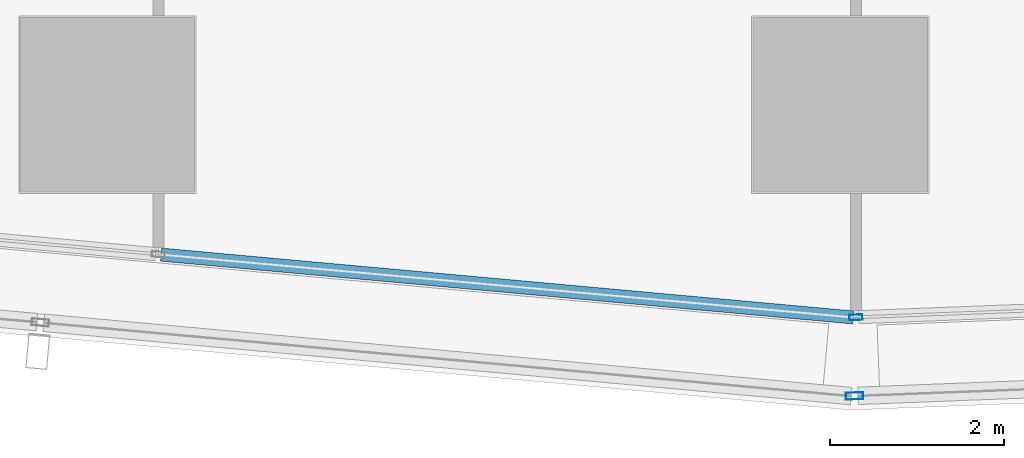
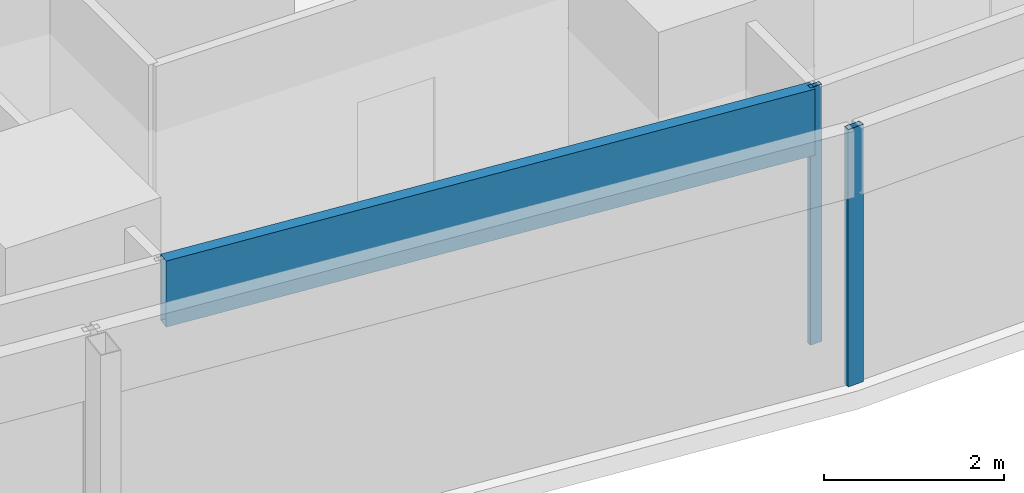
# One storey, part 5 of 39: 3 members, 3 elements without a shape of their own.
"""IFC4 building model written with IfcOpenShell, lengths in metres."""

from ifc_helpers import new_model, si_unit, direction, frame, origin, origin_2d, place, context, subcontext, project, spatial, hollow_rectangle, extrude, material, material_profile, profile_set, type_object, element, aggregate, save


model = new_model("IFC4")

# Units and contexts
model_context = context("Model", 3, precision=1e-05, world=origin(), true_north=direction((0.0, 1.0)))
body_context = subcontext(model_context, "Body", "Model", "MODEL_VIEW")
ifc_project = project(units=[si_unit("LENGTHUNIT", "METRE"), si_unit("AREAUNIT", "SQUARE_METRE"), si_unit("VOLUMEUNIT", "CUBIC_METRE"), si_unit("PLANEANGLEUNIT", "RADIAN"), si_unit("MASSUNIT", "GRAM", prefix="KILO")], contexts=[model_context])

# Site, building, storey
site_placement = place(None, origin())
site = spatial("IfcSite", under=ifc_project, at=site_placement, CompositionType="ELEMENT")
building_placement = place(site_placement, origin())
building = spatial("IfcBuilding", under=site, at=building_placement, Name="Rekha Terrace Tower", CompositionType="ELEMENT")
storey_placement = place(building_placement, frame((0.0, 0.0, 147.800048828125)))
storey = spatial("IfcBuildingStorey", under=building, at=storey_placement, Name="L37", CompositionType="ELEMENT", Elevation=147.800048828125)

# Curtain wall, member
ifc_material_1 = material(Name="Aluminium framing", Category="aluminium")
curtain_wall_type_1 = type_object("IfcCurtainWallType", Name="CW1 double skin inner glazing", PredefinedType="USERDEFINED", material=ifc_material_1)
curtain_wall_1_placement = place(storey_placement, origin())
curtain_wall_1 = element("IfcCurtainWall", 1, at=curtain_wall_1_placement, inside=storey, type_object=curtain_wall_type_1, Name="CW1 double skin inner glazing", ObjectType="DOUBLE SKIN INNER GLAZING", PredefinedType="USERDEFINED")
ifc_material_2 = material(Name="Aluminium mullion section", Category="aluminium")
ifc_material_profile_1 = material_profile(ifc_material_2, hollow_rectangle(XDim=0.06494140625, YDim=0.14990234375, WallThickness=0.00390625, at=origin_2d()), Name="AL RHS 65x150")
ifc_profile_set_1 = profile_set([ifc_material_profile_1], Name="Aluminium mullion section")
member_type_1 = type_object("IfcMemberType", Name="CW1 mullion RHS 65 x 150", PredefinedType="MULLION", material=ifc_profile_set_1)
member_1_placement = place(storey_placement, frame((25.3798828125, 14.363037109375, 0.0), z_axis=(0.0, 0.0, 1.0), x_axis=(-0.038889971328, 0.999243498918, 0.0)))
member_1 = element("IfcMember", 2, at=member_1_placement, type_object=member_type_1, Name="CW1 mullion 1", PredefinedType="MULLION", context=body_context, shape_type="SweptSolid", body=[
    extrude(hollow_rectangle(XDim=0.06494140625, YDim=0.14990234375, WallThickness=0.00390625, at=origin_2d()), origin(), (0.0, 0.0, 1.0), 3.5),
])
aggregate(curtain_wall_1, [member_1])

curtain_wall_2_placement = place(storey_placement, origin())
curtain_wall_2 = element("IfcCurtainWall", 3, at=curtain_wall_2_placement, inside=storey, type_object=curtain_wall_type_1, Name="CW1 double skin inner glazing", ObjectType="DOUBLE SKIN INNER GLAZING", PredefinedType="USERDEFINED")
ifc_material_3 = material(Name="Insulated aluminium spandrel box", Category="aluminium")
ifc_material_profile_2 = material_profile(ifc_material_3, hollow_rectangle(XDim=0.14990234375, YDim=0.89990234375, WallThickness=0.0029296875, at=origin_2d()), Name="AL SPANDREL BOX 150x900")
ifc_profile_set_2 = profile_set([ifc_material_profile_2], Name="Insulated aluminium spandrel box")
member_type_2 = type_object("IfcMemberType", Name="CW1 spandrel transom 150 x 900", PredefinedType="USERDEFINED", material=ifc_profile_set_2)
member_2_placement = place(storey_placement, frame((17.41650390625, 15.08203125, 3.050048828125), z_axis=(0.995901996892, -0.090438999256, 0.0), x_axis=(0.090438999256, 0.995901996892, 0.0)))
member_2 = element("IfcMember", 4, at=member_2_placement, type_object=member_type_2, Name="CW1 spandrel transom 2", ObjectType="TRANSOM", PredefinedType="USERDEFINED", context=body_context, shape_type="SweptSolid", body=[
    extrude(hollow_rectangle(XDim=0.14990234375, YDim=0.89990234375, WallThickness=0.0029296875, at=origin_2d()), origin(), (0.0, 0.0, 1.0), 7.963623046875),
])
aggregate(curtain_wall_2, [member_2])

curtain_wall_type_2 = type_object("IfcCurtainWallType", Name="CW2 double skin outer glazing", PredefinedType="USERDEFINED", material=ifc_material_1)
curtain_wall_3_placement = place(storey_placement, origin())
curtain_wall_3 = element("IfcCurtainWall", 5, at=curtain_wall_3_placement, inside=storey, type_object=curtain_wall_type_2, Name="CW2 double skin outer glazing", ObjectType="DOUBLE SKIN OUTER GLAZING", PredefinedType="USERDEFINED")
ifc_material_profile_3 = material_profile(ifc_material_2, hollow_rectangle(XDim=0.080078125, YDim=0.199951171875, WallThickness=0.00390625, at=origin_2d()), Name="AL RHS 80x200")
ifc_profile_set_3 = profile_set([ifc_material_profile_3], Name="Aluminium mullion section")
member_type_3 = type_object("IfcMemberType", Name="CW2 mullion RHS 80 x 200", PredefinedType="MULLION", material=ifc_profile_set_3)
member_3_placement = place(storey_placement, frame((25.364013671875, 13.4619140625, 0.0), z_axis=(0.0, 0.0, 1.0), x_axis=(-0.038889971345, 0.999243498917, 0.0)))
member_3 = element("IfcMember", 6, at=member_3_placement, type_object=member_type_3, Name="CW2 mullion 1", PredefinedType="MULLION", context=body_context, shape_type="SweptSolid", body=[
    extrude(hollow_rectangle(XDim=0.080078125, YDim=0.199951171875, WallThickness=0.00390625, at=origin_2d()), origin(), (0.0, 0.0, 1.0), 3.5),
])
aggregate(curtain_wall_3, [member_3])

save(model, "model.ifc")
